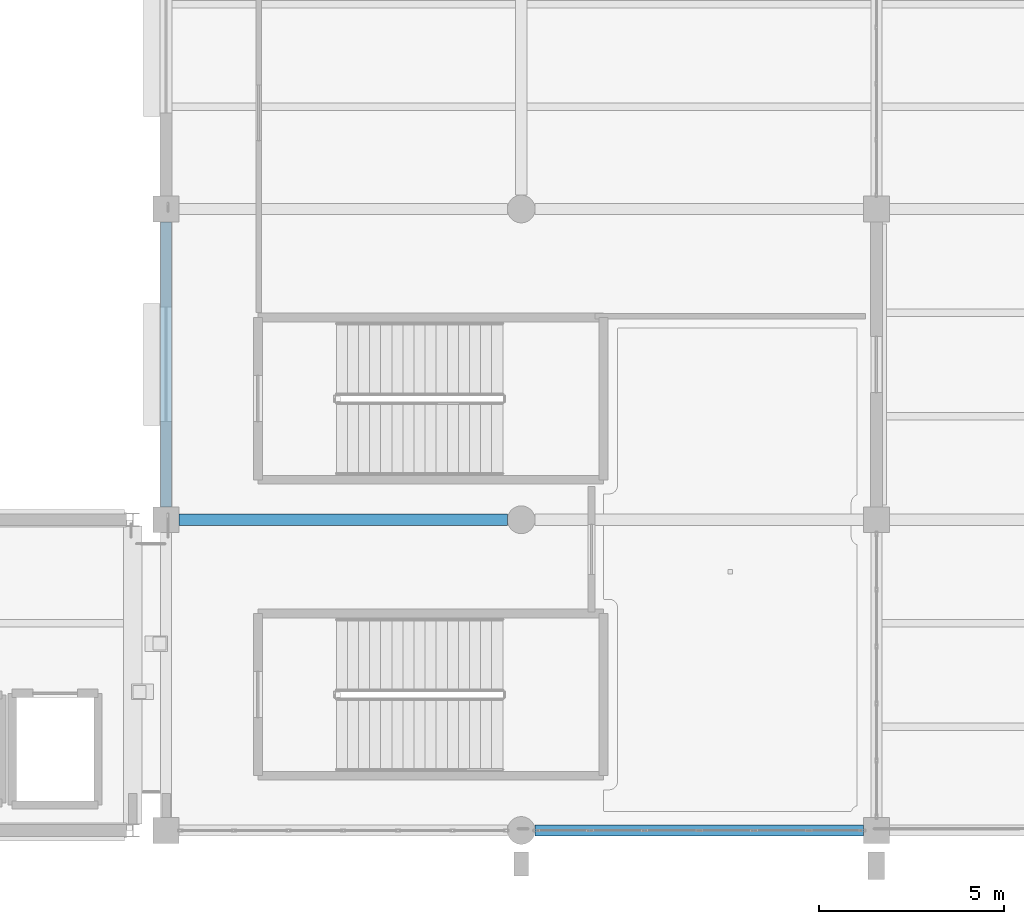
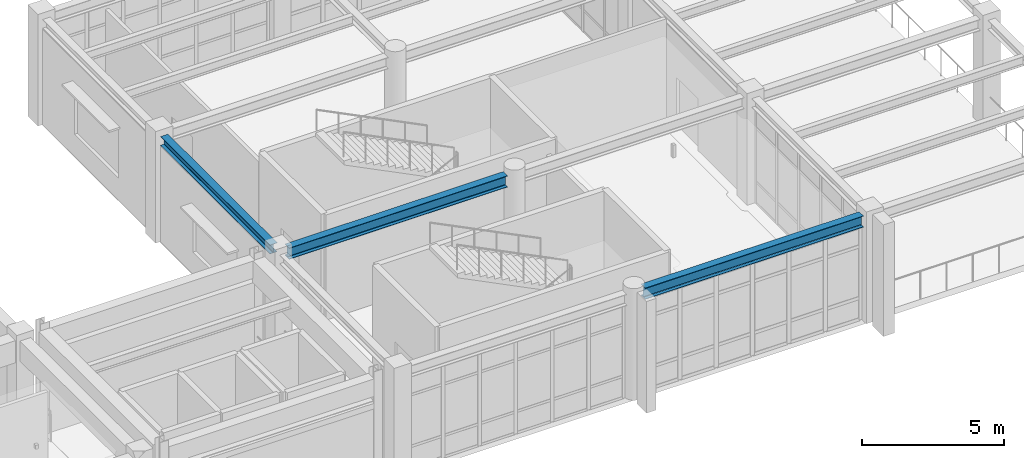
# One storey, part 56 of 98: 3 beams.
"""IFC4 building model written with IfcOpenShell, lengths in metres."""

from ifc_helpers import new_model, si_unit, direction, frame, origin, origin_2d, place, context, subcontext, project, spatial, i_section, extrude, material, material_profile, profile_set, type_object, element, save


model = new_model("IFC4")

# Units and contexts
model_context = context("Model", 3, precision=1e-05, world=origin(), true_north=direction((0.0, 1.0)))
body_context = subcontext(model_context, "Body", "Model", "MODEL_VIEW")
ifc_project = project(units=[si_unit("LENGTHUNIT", "METRE"), si_unit("AREAUNIT", "SQUARE_METRE"), si_unit("VOLUMEUNIT", "CUBIC_METRE"), si_unit("PLANEANGLEUNIT", "RADIAN"), si_unit("MASSUNIT", "GRAM", prefix="KILO")], contexts=[model_context])

# Site, building, storey
site_placement = place(None, origin())
site = spatial("IfcSite", under=ifc_project, at=site_placement, CompositionType="ELEMENT")
building_placement = place(site_placement, origin())
building = spatial("IfcBuilding", under=site, at=building_placement, Name="Canglan Escarpment Cableway Terminal", CompositionType="ELEMENT")
storey_placement = place(building_placement, frame((0.0, 0.0, 9.60009765625)))
storey = spatial("IfcBuildingStorey", under=building, at=storey_placement, Name="L02", CompositionType="ELEMENT", Elevation=9.60009765625)

# Beams
ifc_material = material(Name="Steel Q355B", Category="steel")
ifc_material_profile_1 = material_profile(ifc_material, i_section(OverallWidth=0.300048828125, OverallDepth=0.389892578125, WebThickness=0.010009765625, FlangeThickness=0.01611328125, FilletRadius=0.02197265625, at=origin_2d()), Name="HM 390x300x10x16")
ifc_profile_set_1 = profile_set([ifc_material_profile_1], Name="Steel Q355B")
beam_type_1 = type_object("IfcBeamType", Name="BM-ARCH-TOP-HM390", PredefinedType="BEAM", material=ifc_profile_set_1)
beam_placement = place(storey_placement, frame((147.199951171875, 16.75, 4.324951171875), z_axis=(0.0, 1.0, 0.0), x_axis=(-1.0, 0.0, 0.0)))
element("IfcBeam", 1, at=beam_placement, inside=storey, type_object=beam_type_1, Name="Primary transverse girder AR-TC1", PredefinedType="BEAM", context=body_context, shape_type="SweptSolid", body=[
    extrude(i_section(OverallWidth=0.300048828125, OverallDepth=0.389892578125, WebThickness=0.010009765625, FlangeThickness=0.01611328125, FilletRadius=0.02197265625, at=origin_2d()), origin(), (0.0, 0.0, 1.0), 7.699951171875),
])
ifc_material_profile_2 = material_profile(ifc_material, i_section(OverallWidth=0.300048828125, OverallDepth=0.488037109375, WebThickness=0.010986328125, FlangeThickness=0.01806640625, FilletRadius=0.02587890625, at=origin_2d()), Name="HM 488x300x11x18")
ifc_profile_set_2 = profile_set([ifc_material_profile_2], Name="Steel Q355B")
beam_type_2 = type_object("IfcBeamType", Name="BM-HM488", PredefinedType="BEAM", material=ifc_profile_set_2)
for number, where, z_axis, x_axis, name in (
    (2, (157.175048828125, 8.0, 4.27587890625), (1.0, 0.0, 0.0), (0.0, 1.0, 0.0), "Primary structural girder B-09"),
    (3, (147.550048828125, 16.39990234375, 4.27587890625), (1.0, 0.0, 0.0), (0.0, 1.0, 0.0), "Primary structural girder B-09"),
):
    element("IfcBeam", number, at=place(storey_placement, frame(where, z_axis=z_axis, x_axis=x_axis)), inside=storey, type_object=beam_type_2, Name=name, PredefinedType="BEAM", context=body_context, shape_type="SweptSolid", body=[
        extrude(i_section(OverallWidth=0.300048828125, OverallDepth=0.488037109375, WebThickness=0.010986328125, FlangeThickness=0.01806640625, FilletRadius=0.02587890625, at=origin_2d()), origin(), (0.0, 0.0, 1.0), 8.875),
    ])

save(model, "model.ifc")
